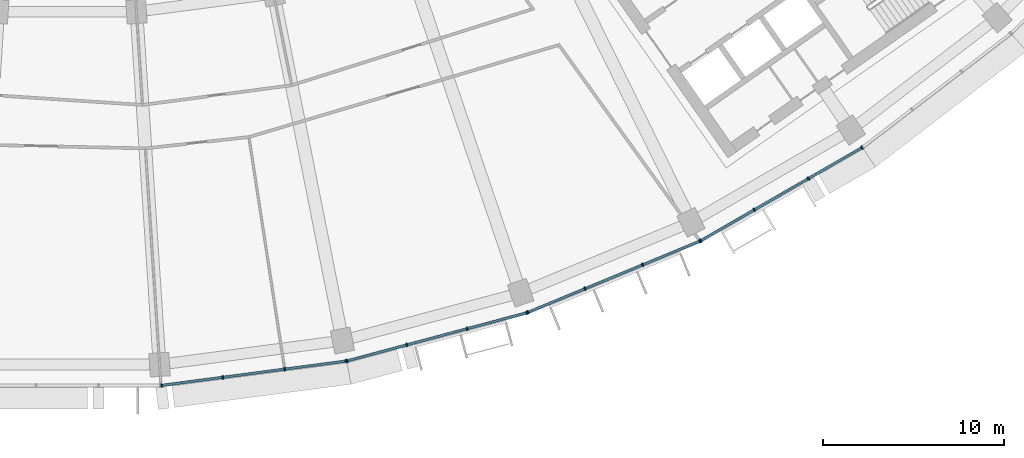
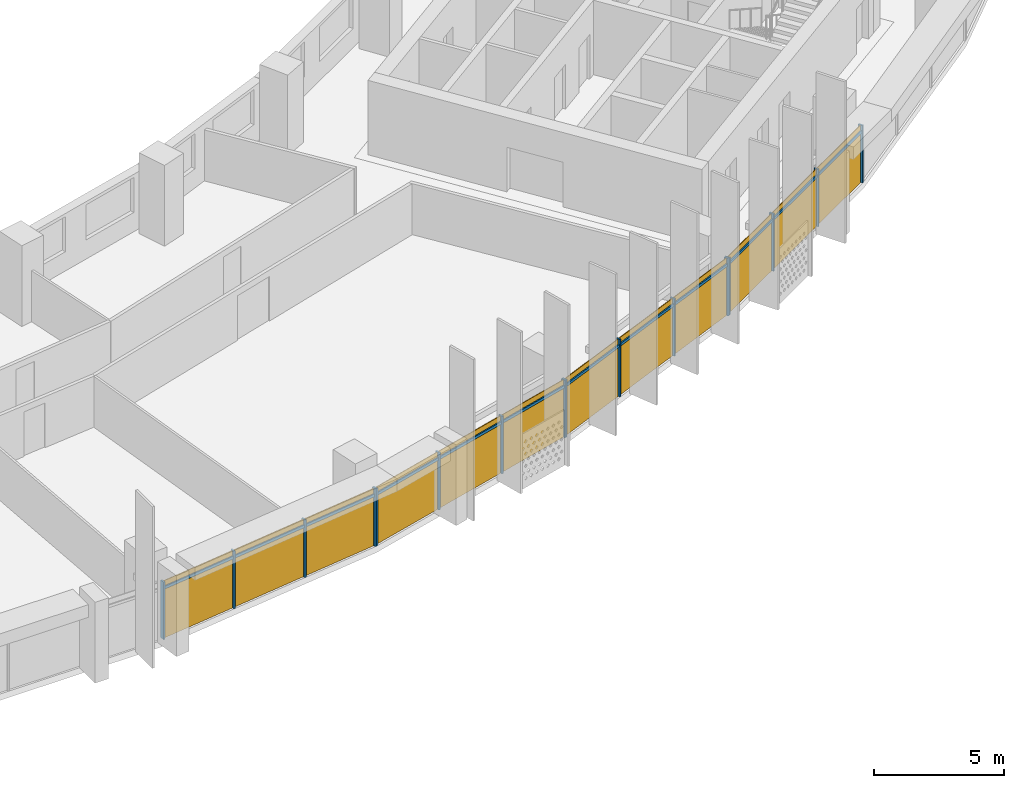
# One storey, part 21 of 27: 28 members, 4 curtain walls.
"""IFC4 building model written with IfcOpenShell, lengths in metres."""

import ifcopenshell
import ifcopenshell.guid

model = None  # the IFC model being written
_history = None  # IfcOwnerHistory: only IFC2X3 demands one
_inside = {}  # id of a spatial element -> (the spatial element, [elements in it])
_under = {}  # id of a project, library or spatial element -> (it, [spatial elements below it])
_declared = {}  # id of a project -> (the project, [libraries it declares])
_typed = {}  # id of a type object -> (the type object, [elements of that type])
_made_of = {}  # id of a material, layer set ... -> (it, [elements and type objects made of it])


def new_model(schema):
    """Start an empty IFC model of exactly this schema.

    Asked for "IFC4X3", IfcOpenShell would pick the latest addendum, in which some entities
    have other attributes; the version numbers below select the first issue.
    IFC2X3 requires an IfcOwnerHistory on every rooted entity: one is made here for all.
    """
    global model, _history
    if schema == "IFC4X3":
        model = ifcopenshell.file(schema_version=(4, 3, 0, 0))
    else:
        model = ifcopenshell.file(schema=schema)
    _inside.clear()
    _under.clear()
    _declared.clear()
    _typed.clear()
    _made_of.clear()
    _history = None
    if model.schema == "IFC2X3":
        org = make("IfcOrganization", Name="unknown")
        user = make(
            "IfcPersonAndOrganization",
            ThePerson=make("IfcPerson", FamilyName="unknown"),
            TheOrganization=org,
        )
        app = make(
            "IfcApplication",
            ApplicationDeveloper=org,
            Version="unknown",
            ApplicationFullName="unknown",
            ApplicationIdentifier="unknown",
        )
        _history = make(
            "IfcOwnerHistory",
            OwningUser=user,
            OwningApplication=app,
            ChangeAction="ADDED",
            CreationDate=0,
        )
    return model


def make(cls, **values):
    """One entity of the class cls with the attributes given. An attribute that is None is left unset."""
    return model.create_entity(
        cls, **{name: value for name, value in values.items() if value is not None}
    )


def rooted(cls, **values):
    """An entity with a GlobalId (a new one), such as an element, a storey or a relation."""
    return make(cls, GlobalId=ifcopenshell.guid.new(), OwnerHistory=_history, **values)


def si_unit(unit_type, name, prefix=None):
    """IfcSIUnit, for example si_unit("LENGTHUNIT", "METRE", prefix="MILLI")."""
    return make("IfcSIUnit", UnitType=unit_type, Prefix=prefix, Name=name)


def assignment(units):
    """IfcUnitAssignment: the units of a project."""
    return None if units is None else make("IfcUnitAssignment", Units=units)


def point(xyz):
    """IfcCartesianPoint."""
    return None if xyz is None else make("IfcCartesianPoint", Coordinates=xyz)


def direction(xyz):
    """IfcDirection."""
    return None if xyz is None else make("IfcDirection", DirectionRatios=xyz)


def frame(location, z_axis=None, x_axis=None):
    """IfcAxis2Placement3D, a coordinate frame: its origin and axes. An axis left out is left unset."""
    return make(
        "IfcAxis2Placement3D",
        Location=point(location),
        Axis=direction(z_axis),
        RefDirection=direction(x_axis),
    )


def frame_2d(location, x_axis=None):
    """IfcAxis2Placement2D, a coordinate frame in the plane: its origin and x axis."""
    return make(
        "IfcAxis2Placement2D", Location=point(location), RefDirection=direction(x_axis)
    )


def origin():
    """The frame at (0, 0, 0) with its axes left unset."""
    return frame((0.0, 0.0, 0.0))


def origin_2d():
    """The frame at (0, 0) in the plane with its x axis left unset."""
    return frame_2d((0.0, 0.0))


def place(relative_to, where):
    """IfcLocalPlacement: puts the frame where relative to a parent placement (None: the world)."""
    return make(
        "IfcLocalPlacement", PlacementRelTo=relative_to, RelativePlacement=where
    )


def context(
    kind, dimensions, precision=None, world=None, true_north=None, identifier=None
):
    """IfcGeometricRepresentationContext, for example the 3D "Model" context."""
    return make(
        "IfcGeometricRepresentationContext",
        ContextIdentifier=identifier,
        ContextType=kind,
        CoordinateSpaceDimension=dimensions,
        Precision=precision,
        WorldCoordinateSystem=world,
        TrueNorth=true_north,
    )


def subcontext(parent, identifier, kind, view, scale=None):
    """IfcGeometricRepresentationSubContext, for example "Body" below "Model"."""
    return make(
        "IfcGeometricRepresentationSubContext",
        ContextIdentifier=identifier,
        ContextType=kind,
        ParentContext=parent,
        TargetScale=scale,
        TargetView=view,
    )


def project(units=None, contexts=None):
    """IfcProject with its units and contexts."""
    return rooted(
        "IfcProject",
        Name="project",
        RepresentationContexts=contexts,
        UnitsInContext=assignment(units),
    )


def spatial(cls, under=None, at=None, **own):
    """A site, building, storey or space (cls), placed at a placement, below another one or the project."""
    s = rooted(cls, ObjectPlacement=at, **own)
    if under is not None:
        _under.setdefault(under.id(), (under, []))[1].append(s)
    return s


def profile(cls, at=None, kind="AREA", **sizes):
    """A parametric profile (cls). Its sizes go by their IFC names, for example OverallWidth=200.0."""
    return make(cls, ProfileType=kind, Position=at, **sizes)


def rectangle(**sizes):
    """IfcRectangleProfileDef."""
    return profile("IfcRectangleProfileDef", **sizes)


def extrude(swept, where, along, depth):
    """IfcExtrudedAreaSolid: the profile swept, set in the frame where, extruded along a direction by depth."""
    return make(
        "IfcExtrudedAreaSolid",
        SweptArea=swept,
        Position=where,
        ExtrudedDirection=direction(along),
        Depth=depth,
    )


def shape(context_of_items, identifier, shape_type, items):
    """IfcShapeRepresentation: the items that make up one representation, for example the "Body"."""
    return make(
        "IfcShapeRepresentation",
        ContextOfItems=context_of_items,
        RepresentationIdentifier=identifier,
        RepresentationType=shape_type,
        Items=items,
    )


def material(Name=None, Category=None):
    """IfcMaterial."""
    return make("IfcMaterial", Name=Name, Category=Category)


def material_profile(
    of_material, cross_section, Name=None, Category=None, Priority=None
):
    """IfcMaterialProfile: a cross section and its material."""
    return make(
        "IfcMaterialProfile",
        Name=Name,
        Material=of_material,
        Profile=cross_section,
        Priority=Priority,
        Category=Category,
    )


def profile_set(profiles, Name=None, composite=None):
    """IfcMaterialProfileSet."""
    return make(
        "IfcMaterialProfileSet",
        Name=Name,
        MaterialProfiles=profiles,
        CompositeProfile=composite,
    )


def made_of(thing, what):
    """Note that an element or type object is made of a material, layer set ...; save() writes the relation."""
    if what is not None:
        _made_of.setdefault(what.id(), (what, []))[1].append(thing)
    return thing


def type_object(cls, material=None, **own):
    """A type object (cls), such as IfcWallType, which elements share."""
    return made_of(rooted(cls, **own), material)


def element(
    cls,
    number,
    at=None,
    inside=None,
    cuts=None,
    type_object=None,
    material=None,
    context=None,
    identifier="Body",
    shape_type=None,
    held_by="IfcProductDefinitionShape",
    body=None,
    shapes=None,
    **own,
):
    """One element of the class cls, such as IfcWall. Its Tag is "e" and its number.

    at: its placement. inside: the storey or other place that contains it. cuts: it is an
    opening in that element (IfcRelVoidsElement). A single representation is given by context,
    identifier, shape_type and body (its items); several are given by shapes. held_by: the class
    of the entity that holds the representations. save() writes the other relations.
    """
    e = rooted(cls, Tag="e%d" % number, ObjectPlacement=at, **own)
    if body is not None:
        shapes = [shape(context, identifier, shape_type, body)]
    if shapes is not None:
        e.Representation = make(held_by, Representations=shapes)
    if inside is not None:
        _inside.setdefault(inside.id(), (inside, []))[1].append(e)
    if cuts is not None:
        rooted(
            "IfcRelVoidsElement", RelatingBuildingElement=cuts, RelatedOpeningElement=e
        )
    if type_object is not None:
        _typed.setdefault(type_object.id(), (type_object, []))[1].append(e)
    return made_of(e, material)


def aggregate(whole, parts):
    """IfcRelAggregates: a whole, such as a stair, and the parts it consists of."""
    return rooted("IfcRelAggregates", RelatingObject=whole, RelatedObjects=parts)


def save(model, path):
    """Write the relations noted so far, then the file.

    IfcRelAggregates (storeys below a building ...), IfcRelContainedInSpatialStructure (elements
    in a storey), IfcRelDefinesByType, IfcRelAssociatesMaterial and IfcRelDeclares: one each for
    every whole, place, type object, material and project.
    """
    for whole, parts in _under.values():
        aggregate(whole, parts)
    for where, things in _inside.values():
        rooted(
            "IfcRelContainedInSpatialStructure",
            RelatedElements=things,
            RelatingStructure=where,
        )
    for kind, things in _typed.values():
        rooted("IfcRelDefinesByType", RelatedObjects=things, RelatingType=kind)
    for what, things in _made_of.values():
        rooted("IfcRelAssociatesMaterial", RelatedObjects=things, RelatingMaterial=what)
    for by, libraries in _declared.values():
        rooted("IfcRelDeclares", RelatingContext=by, RelatedDefinitions=libraries)
    model.write(path)


model = new_model("IFC4")

# Units and contexts
model_context = context("Model", 3, precision=1e-05, world=origin(), true_north=direction((0.0, 1.0)))
body_context = subcontext(model_context, "Body", "Model", "MODEL_VIEW")
ifc_project = project(units=[si_unit("LENGTHUNIT", "METRE"), si_unit("AREAUNIT", "SQUARE_METRE"), si_unit("VOLUMEUNIT", "CUBIC_METRE"), si_unit("PLANEANGLEUNIT", "RADIAN"), si_unit("MASSUNIT", "GRAM", prefix="KILO")], contexts=[model_context])

# Member
ifc_material = material(Name="Aluminium 6063-T6 anodised", Category="aluminium")
ifc_material_profile_1 = material_profile(ifc_material, rectangle(XDim=0.199951171875, YDim=0.070068359375, at=origin_2d()))
ifc_profile_set_1 = profile_set([ifc_material_profile_1], Name="Aluminium 6063-T6 anodised")
member_type_1 = type_object("IfcMemberType", Name="Mullion 70 x 200 aluminium", PredefinedType="MULLION", material=ifc_profile_set_1)
site_placement = place(None, origin())
building_placement = place(site_placement, origin())
storey_placement = place(building_placement, frame((0.0, 0.0, 187.300048828125)))
member_1_placement = place(storey_placement, frame((5.1884765625, -78.72705078125, 0.0), z_axis=(0.0, 0.0, 1.0), x_axis=(-0.13052619222, 0.991444861374, 0.0)))
member_1 = element("IfcMember", 1, at=member_1_placement, type_object=member_type_1, Name="e-cw1-L44-out08/M00", PredefinedType="MULLION", context=body_context, shape_type="SweptSolid", body=[
    extrude(rectangle(XDim=0.199951171875, YDim=0.070068359375, at=origin_2d()), origin(), (0.0, 0.0, 1.0), 2.699951171875),
])

member_2_placement = place(storey_placement, frame((8.56884765625, -78.2822265625, 0.0), z_axis=(0.0, 0.0, 1.0), x_axis=(-0.13052619222, 0.991444861374, 0.0)))
member_2 = element("IfcMember", 2, at=member_2_placement, type_object=member_type_1, Name="e-cw1-L44-out08/M01", PredefinedType="MULLION", context=body_context, shape_type="SweptSolid", body=[
    extrude(rectangle(XDim=0.199951171875, YDim=0.070068359375, at=origin_2d()), origin(), (0.0, 0.0, 1.0), 2.699951171875),
])

member_3_placement = place(storey_placement, frame((11.98388671875, -77.83251953125, 0.0), z_axis=(0.0, 0.0, 1.0), x_axis=(-0.13052619222, 0.991444861374, 0.0)))
member_3 = element("IfcMember", 3, at=member_3_placement, type_object=member_type_1, Name="e-cw1-L44-out08/M02", PredefinedType="MULLION", context=body_context, shape_type="SweptSolid", body=[
    extrude(rectangle(XDim=0.199951171875, YDim=0.070068359375, at=origin_2d()), origin(), (0.0, 0.0, 1.0), 2.699951171875),
])

member_4_placement = place(storey_placement, frame((15.364501953125, -77.387451171875, 0.0), z_axis=(0.0, 0.0, 1.0), x_axis=(-0.13052619222, 0.991444861374, 0.0)))
member_4 = element("IfcMember", 4, at=member_4_placement, type_object=member_type_1, Name="e-cw1-L44-out08/M03", PredefinedType="MULLION", context=body_context, shape_type="SweptSolid", body=[
    extrude(rectangle(XDim=0.199951171875, YDim=0.070068359375, at=origin_2d()), origin(), (0.0, 0.0, 1.0), 2.699951171875),
])

member_5_placement = place(storey_placement, frame((15.420166015625, -77.37646484375, 0.0), z_axis=(0.0, 0.0, 1.0), x_axis=(-0.258819045103, 0.965925826289, 0.0)))
member_5 = element("IfcMember", 5, at=member_5_placement, type_object=member_type_1, Name="e-cw1-L44-out09/M00", PredefinedType="MULLION", context=body_context, shape_type="SweptSolid", body=[
    extrude(rectangle(XDim=0.199951171875, YDim=0.070068359375, at=origin_2d()), origin(), (0.0, 0.0, 1.0), 2.699951171875),
])

member_6_placement = place(storey_placement, frame((18.71337890625, -76.493896484375, 0.0), z_axis=(0.0, 0.0, 1.0), x_axis=(-0.258819045103, 0.965925826289, 0.0)))
member_6 = element("IfcMember", 6, at=member_6_placement, type_object=member_type_1, Name="e-cw1-L44-out09/M01", PredefinedType="MULLION", context=body_context, shape_type="SweptSolid", body=[
    extrude(rectangle(XDim=0.199951171875, YDim=0.070068359375, at=origin_2d()), origin(), (0.0, 0.0, 1.0), 2.699951171875),
])

member_7_placement = place(storey_placement, frame((22.04052734375, -75.602294921875, 0.0), z_axis=(0.0, 0.0, 1.0), x_axis=(-0.258819045103, 0.965925826289, 0.0)))
member_7 = element("IfcMember", 7, at=member_7_placement, type_object=member_type_1, Name="e-cw1-L44-out09/M02", PredefinedType="MULLION", context=body_context, shape_type="SweptSolid", body=[
    extrude(rectangle(XDim=0.199951171875, YDim=0.070068359375, at=origin_2d()), origin(), (0.0, 0.0, 1.0), 2.699951171875),
])

member_8_placement = place(storey_placement, frame((25.333984375, -74.719970703125, 0.0), z_axis=(0.0, 0.0, 1.0), x_axis=(-0.258819045103, 0.965925826289, 0.0)))
member_8 = element("IfcMember", 8, at=member_8_placement, type_object=member_type_1, Name="e-cw1-L44-out09/M03", PredefinedType="MULLION", context=body_context, shape_type="SweptSolid", body=[
    extrude(rectangle(XDim=0.199951171875, YDim=0.070068359375, at=origin_2d()), origin(), (0.0, 0.0, 1.0), 2.699951171875),
])

member_9_placement = place(storey_placement, frame((25.3876953125, -74.70166015625, 0.0), z_axis=(0.0, 0.0, 1.0), x_axis=(-0.382683432365, 0.923879532511, 0.0)))
member_9 = element("IfcMember", 9, at=member_9_placement, type_object=member_type_1, Name="e-cw1-L44-out10/M00", PredefinedType="MULLION", context=body_context, shape_type="SweptSolid", body=[
    extrude(rectangle(XDim=0.199951171875, YDim=0.070068359375, at=origin_2d()), origin(), (0.0, 0.0, 1.0), 2.699951171875),
])

member_10_placement = place(storey_placement, frame((28.537841796875, -73.39697265625, 0.0), z_axis=(0.0, 0.0, 1.0), x_axis=(-0.382683432365, 0.923879532511, 0.0)))
member_10 = element("IfcMember", 10, at=member_10_placement, type_object=member_type_1, Name="e-cw1-L44-out10/M01", PredefinedType="MULLION", context=body_context, shape_type="SweptSolid", body=[
    extrude(rectangle(XDim=0.199951171875, YDim=0.070068359375, at=origin_2d()), origin(), (0.0, 0.0, 1.0), 2.699951171875),
])

member_11_placement = place(storey_placement, frame((31.72021484375, -72.078857421875, 0.0), z_axis=(0.0, 0.0, 1.0), x_axis=(-0.382683432365, 0.923879532511, 0.0)))
member_11 = element("IfcMember", 11, at=member_11_placement, type_object=member_type_1, Name="e-cw1-L44-out10/M02", PredefinedType="MULLION", context=body_context, shape_type="SweptSolid", body=[
    extrude(rectangle(XDim=0.199951171875, YDim=0.070068359375, at=origin_2d()), origin(), (0.0, 0.0, 1.0), 2.699951171875),
])

member_12_placement = place(storey_placement, frame((34.8701171875, -70.77392578125, 0.0), z_axis=(0.0, 0.0, 1.0), x_axis=(-0.382683432365, 0.923879532511, 0.0)))
member_12 = element("IfcMember", 12, at=member_12_placement, type_object=member_type_1, Name="e-cw1-L44-out10/M03", PredefinedType="MULLION", context=body_context, shape_type="SweptSolid", body=[
    extrude(rectangle(XDim=0.199951171875, YDim=0.070068359375, at=origin_2d()), origin(), (0.0, 0.0, 1.0), 2.699951171875),
])

member_13_placement = place(storey_placement, frame((34.921142578125, -70.748779296875, 0.0), z_axis=(0.0, 0.0, 1.0), x_axis=(-0.5, 0.866025403784, 0.0)))
member_13 = element("IfcMember", 13, at=member_13_placement, type_object=member_type_1, Name="e-cw1-L44-out11/M00", PredefinedType="MULLION", context=body_context, shape_type="SweptSolid", body=[
    extrude(rectangle(XDim=0.199951171875, YDim=0.070068359375, at=origin_2d()), origin(), (0.0, 0.0, 1.0), 2.699951171875),
])

member_14_placement = place(storey_placement, frame((37.873779296875, -69.0439453125, 0.0), z_axis=(0.0, 0.0, 1.0), x_axis=(-0.5, 0.866025403784, 0.0)))
member_14 = element("IfcMember", 14, at=member_14_placement, type_object=member_type_1, Name="e-cw1-L44-out11/M01", PredefinedType="MULLION", context=body_context, shape_type="SweptSolid", body=[
    extrude(rectangle(XDim=0.199951171875, YDim=0.070068359375, at=origin_2d()), origin(), (0.0, 0.0, 1.0), 2.699951171875),
])

member_15_placement = place(storey_placement, frame((40.85693359375, -67.32177734375, 0.0), z_axis=(0.0, 0.0, 1.0), x_axis=(-0.5, 0.866025403784, 0.0)))
member_15 = element("IfcMember", 15, at=member_15_placement, type_object=member_type_1, Name="e-cw1-L44-out11/M02", PredefinedType="MULLION", context=body_context, shape_type="SweptSolid", body=[
    extrude(rectangle(XDim=0.199951171875, YDim=0.070068359375, at=origin_2d()), origin(), (0.0, 0.0, 1.0), 2.699951171875),
])

member_16_placement = place(storey_placement, frame((43.809814453125, -65.616943359375, 0.0), z_axis=(0.0, 0.0, 1.0), x_axis=(-0.5, 0.866025403784, 0.0)))
member_16 = element("IfcMember", 16, at=member_16_placement, type_object=member_type_1, Name="e-cw1-L44-out11/M03", PredefinedType="MULLION", context=body_context, shape_type="SweptSolid", body=[
    extrude(rectangle(XDim=0.199951171875, YDim=0.070068359375, at=origin_2d()), origin(), (0.0, 0.0, 1.0), 2.699951171875),
])

ifc_material_profile_2 = material_profile(ifc_material, rectangle(XDim=0.139892578125, YDim=0.1201171875, at=origin_2d()))
ifc_profile_set_2 = profile_set([ifc_material_profile_2], Name="Aluminium 6063-T6 anodised")
member_type_2 = type_object("IfcMemberType", Name="Transom 120 x 140 aluminium", PredefinedType="USERDEFINED", material=ifc_profile_set_2)
member_17_placement = place(storey_placement, frame((5.22314453125, -78.72265625, 2.39990234375), z_axis=(0.991439857731, 0.130564193033, 0.0), x_axis=(-0.130564193033, 0.991439857731, 0.0)))
member_17 = element("IfcMember", 17, at=member_17_placement, type_object=member_type_2, Name="e-cw1-L44-out08/T00", ObjectType="TRANSOM", PredefinedType="USERDEFINED", context=body_context, shape_type="SweptSolid", body=[
    extrude(rectangle(XDim=0.139892578125, YDim=0.1201171875, at=origin_2d()), origin(), (0.0, 0.0, 1.0), 3.339599609375),
])

member_18_placement = place(storey_placement, frame((8.603515625, -78.277587890625, 2.39990234375), z_axis=(0.991446413845, 0.130514399487, 0.0), x_axis=(-0.130514399487, 0.991446413845, 0.0)))
member_18 = element("IfcMember", 18, at=member_18_placement, type_object=member_type_2, Name="e-cw1-L44-out08/T01", ObjectType="TRANSOM", PredefinedType="USERDEFINED", context=body_context, shape_type="SweptSolid", body=[
    extrude(rectangle(XDim=0.139892578125, YDim=0.1201171875, at=origin_2d()), origin(), (0.0, 0.0, 1.0), 3.37451171875),
])

member_19_placement = place(storey_placement, frame((12.018798828125, -77.827880859375, 2.39990234375), z_axis=(0.991448073325, 0.130501792706, 0.0), x_axis=(-0.130501792706, 0.991448073325, 0.0)))
member_19 = element("IfcMember", 19, at=member_19_placement, type_object=member_type_2, Name="e-cw1-L44-out08/T02", ObjectType="TRANSOM", PredefinedType="USERDEFINED", context=body_context, shape_type="SweptSolid", body=[
    extrude(rectangle(XDim=0.139892578125, YDim=0.1201171875, at=origin_2d()), origin(), (0.0, 0.0, 1.0), 3.33935546875),
])

member_20_placement = place(storey_placement, frame((15.453857421875, -77.367431640625, 2.39990234375), z_axis=(0.96591509168, 0.258859103886, 0.0), x_axis=(-0.258859103886, 0.96591509168, 0.0)))
member_20 = element("IfcMember", 20, at=member_20_placement, type_object=member_type_2, Name="e-cw1-L44-out09/T00", ObjectType="TRANSOM", PredefinedType="USERDEFINED", context=body_context, shape_type="SweptSolid", body=[
    extrude(rectangle(XDim=0.139892578125, YDim=0.1201171875, at=origin_2d()), origin(), (0.0, 0.0, 1.0), 3.339599609375),
])

member_21_placement = place(storey_placement, frame((18.747314453125, -76.48486328125, 2.39990234375), z_axis=(0.965932873966, 0.258792741381, 0.0), x_axis=(-0.258792741381, 0.965932873966, 0.0)))
member_21 = element("IfcMember", 21, at=member_21_placement, type_object=member_type_2, Name="e-cw1-L44-out09/T01", ObjectType="TRANSOM", PredefinedType="USERDEFINED", context=body_context, shape_type="SweptSolid", body=[
    extrude(rectangle(XDim=0.139892578125, YDim=0.1201171875, at=origin_2d()), origin(), (0.0, 0.0, 1.0), 3.37451171875),
])

member_22_placement = place(storey_placement, frame((22.074462890625, -75.59326171875, 2.39990234375), z_axis=(0.965933368091, 0.258790897074, 0.0), x_axis=(-0.258790897074, 0.965933368091, 0.0)))
member_22 = element("IfcMember", 22, at=member_22_placement, type_object=member_type_2, Name="e-cw1-L44-out09/T02", ObjectType="TRANSOM", PredefinedType="USERDEFINED", context=body_context, shape_type="SweptSolid", body=[
    extrude(rectangle(XDim=0.139892578125, YDim=0.1201171875, at=origin_2d()), origin(), (0.0, 0.0, 1.0), 3.339599609375),
])

member_23_placement = place(storey_placement, frame((25.420166015625, -74.688232421875, 2.39990234375), z_axis=(0.923890305385, 0.382657423311, 0.0), x_axis=(-0.382657423311, 0.923890305385, 0.0)))
member_23 = element("IfcMember", 23, at=member_23_placement, type_object=member_type_2, Name="e-cw1-L44-out10/T00", ObjectType="TRANSOM", PredefinedType="USERDEFINED", context=body_context, shape_type="SweptSolid", body=[
    extrude(rectangle(XDim=0.139892578125, YDim=0.1201171875, at=origin_2d()), origin(), (0.0, 0.0, 1.0), 3.33935546875),
])

member_24_placement = place(storey_placement, frame((28.570068359375, -73.383544921875, 2.39990234375), z_axis=(0.923866926753, 0.382713863941, 0.0), x_axis=(-0.382713863941, 0.923866926753, 0.0)))
member_24 = element("IfcMember", 24, at=member_24_placement, type_object=member_type_2, Name="e-cw1-L44-out10/T01", ObjectType="TRANSOM", PredefinedType="USERDEFINED", context=body_context, shape_type="SweptSolid", body=[
    extrude(rectangle(XDim=0.139892578125, YDim=0.1201171875, at=origin_2d()), origin(), (0.0, 0.0, 1.0), 3.37451171875),
])

member_25_placement = place(storey_placement, frame((31.75244140625, -72.0654296875, 2.39990234375), z_axis=(0.923875164544, 0.382693977401, 0.0), x_axis=(-0.382693977401, 0.923875164544, 0.0)))
member_25 = element("IfcMember", 25, at=member_25_placement, type_object=member_type_2, Name="e-cw1-L44-out10/T02", ObjectType="TRANSOM", PredefinedType="USERDEFINED", context=body_context, shape_type="SweptSolid", body=[
    extrude(rectangle(XDim=0.139892578125, YDim=0.1201171875, at=origin_2d()), origin(), (0.0, 0.0, 1.0), 3.339599609375),
])

member_26_placement = place(storey_placement, frame((34.951416015625, -70.7314453125, 2.39990234375), z_axis=(0.866002968352, 0.500038857296, 0.0), x_axis=(-0.500038857296, 0.866002968352, 0.0)))
member_26 = element("IfcMember", 26, at=member_26_placement, type_object=member_type_2, Name="e-cw1-L44-out11/T00", ObjectType="TRANSOM", PredefinedType="USERDEFINED", context=body_context, shape_type="SweptSolid", body=[
    extrude(rectangle(XDim=0.139892578125, YDim=0.1201171875, at=origin_2d()), origin(), (0.0, 0.0, 1.0), 3.339599609375),
])

member_27_placement = place(storey_placement, frame((37.904296875, -69.026611328125, 2.39990234375), z_axis=(0.86602172966, 0.500006363716, 0.0), x_axis=(-0.500006363716, 0.86602172966, 0.0)))
member_27 = element("IfcMember", 27, at=member_27_placement, type_object=member_type_2, Name="e-cw1-L44-out11/T01", ObjectType="TRANSOM", PredefinedType="USERDEFINED", context=body_context, shape_type="SweptSolid", body=[
    extrude(rectangle(XDim=0.139892578125, YDim=0.1201171875, at=origin_2d()), origin(), (0.0, 0.0, 1.0), 3.37451171875),
])

member_28_placement = place(storey_placement, frame((40.88720703125, -67.30419921875, 2.39990234375), z_axis=(0.866052898888, 0.49995237406, 0.0), x_axis=(-0.49995237406, 0.866052898888, 0.0)))
member_28 = element("IfcMember", 28, at=member_28_placement, type_object=member_type_2, Name="e-cw1-L44-out11/T02", ObjectType="TRANSOM", PredefinedType="USERDEFINED", context=body_context, shape_type="SweptSolid", body=[
    extrude(rectangle(XDim=0.139892578125, YDim=0.1201171875, at=origin_2d()), origin(), (0.0, 0.0, 1.0), 3.339599609375),
])

# Site, building, storey
site = spatial("IfcSite", under=ifc_project, at=site_placement, CompositionType="ELEMENT")
building = spatial("IfcBuilding", under=site, at=building_placement, Name="Qamariyya Broadcast Tower", CompositionType="ELEMENT")
storey = spatial("IfcBuildingStorey", under=building, at=storey_placement, Name="L44", CompositionType="ELEMENT", Elevation=187.300048828125)

# Curtain wall
curtain_wall_type = type_object("IfcCurtainWallType", Name="Unitised curtain wall, anodised aluminium", PredefinedType="NOTDEFINED", material=ifc_material)
curtain_wall_1_placement = place(storey_placement, origin())
curtain_wall_1 = element("IfcCurtainWall", 29, at=curtain_wall_1_placement, inside=storey, type_object=curtain_wall_type, Name="e-cw1-L44-out08", PredefinedType="NOTDEFINED", context=body_context, shape_type="SweptSolid", body=[
    extrude(rectangle(XDim=3.339599609375, YDim=0.031982421875, at=origin_2d()), frame((6.878662109375, -78.504638671875, 0.0), x_axis=(0.991444240905, 0.130530905064, 0.0)), (0.0, 0.0, 1.0), 2.340087890625),
    extrude(rectangle(XDim=3.339599609375, YDim=0.031982421875, at=origin_2d()), frame((6.878662109375, -78.504638671875, 2.4599609375), x_axis=(0.991444240905, 0.130530905064, 0.0)), (0.0, 0.0, 1.0), 0.239990234375),
    extrude(rectangle(XDim=3.37451171875, YDim=0.031982421875, at=origin_2d()), frame((10.2763671875, -78.05712890625, 0.0), x_axis=(0.991444240905, 0.130530905064, 0.0)), (0.0, 0.0, 1.0), 2.340087890625),
    extrude(rectangle(XDim=3.37451171875, YDim=0.031982421875, at=origin_2d()), frame((10.2763671875, -78.05712890625, 2.4599609375), x_axis=(0.991444240905, 0.130530905064, 0.0)), (0.0, 0.0, 1.0), 0.239990234375),
    extrude(rectangle(XDim=3.339599609375, YDim=0.031982421875, at=origin_2d()), frame((13.67431640625, -77.60986328125, 0.0), x_axis=(0.991444240905, 0.130530905064, 0.0)), (0.0, 0.0, 1.0), 2.340087890625),
    extrude(rectangle(XDim=3.339599609375, YDim=0.031982421875, at=origin_2d()), frame((13.67431640625, -77.60986328125, 2.4599609375), x_axis=(0.991444240905, 0.130530905064, 0.0)), (0.0, 0.0, 1.0), 0.239990234375),
])

aggregate(curtain_wall_1, [member_1, member_2, member_3, member_4, member_17, member_18, member_19])

curtain_wall_2_placement = place(storey_placement, origin())
curtain_wall_2 = element("IfcCurtainWall", 30, at=curtain_wall_2_placement, inside=storey, type_object=curtain_wall_type, Name="e-cw1-L44-out09", PredefinedType="NOTDEFINED", context=body_context, shape_type="SweptSolid", body=[
    extrude(rectangle(XDim=3.339599609375, YDim=0.031982421875, at=origin_2d()), frame((17.066650390625, -76.935302734375, 0.0), x_axis=(0.965926433062, 0.258816780584, 0.0)), (0.0, 0.0, 1.0), 2.340087890625),
    extrude(rectangle(XDim=3.339599609375, YDim=0.031982421875, at=origin_2d()), frame((17.066650390625, -76.935302734375, 2.4599609375), x_axis=(0.965926433062, 0.258816780584, 0.0)), (0.0, 0.0, 1.0), 0.239990234375),
    extrude(rectangle(XDim=3.37451171875, YDim=0.031982421875, at=origin_2d()), frame((20.376953125, -76.04833984375, 0.0), x_axis=(0.965926433062, 0.258816780584, 0.0)), (0.0, 0.0, 1.0), 2.340087890625),
    extrude(rectangle(XDim=3.37451171875, YDim=0.031982421875, at=origin_2d()), frame((20.376953125, -76.04833984375, 2.4599609375), x_axis=(0.965926433062, 0.258816780584, 0.0)), (0.0, 0.0, 1.0), 0.239990234375),
    extrude(rectangle(XDim=3.339599609375, YDim=0.031982421875, at=origin_2d()), frame((23.6875, -75.1611328125, 0.0), x_axis=(0.965926433062, 0.258816780584, 0.0)), (0.0, 0.0, 1.0), 2.340087890625),
    extrude(rectangle(XDim=3.339599609375, YDim=0.031982421875, at=origin_2d()), frame((23.6875, -75.1611328125, 2.4599609375), x_axis=(0.965926433062, 0.258816780584, 0.0)), (0.0, 0.0, 1.0), 0.239990234375),
])

aggregate(curtain_wall_2, [member_5, member_6, member_7, member_8, member_20, member_21, member_22])

curtain_wall_3_placement = place(storey_placement, origin())
curtain_wall_3 = element("IfcCurtainWall", 31, at=curtain_wall_3_placement, inside=storey, type_object=curtain_wall_type, Name="e-cw1-L44-out10", PredefinedType="NOTDEFINED", context=body_context, shape_type="SweptSolid", body=[
    extrude(rectangle(XDim=3.339599609375, YDim=0.031982421875, at=origin_2d()), frame((26.962890625, -74.04931640625, 0.0), x_axis=(0.923878040314, 0.382687034829, 0.0)), (0.0, 0.0, 1.0), 2.340087890625),
    extrude(rectangle(XDim=3.339599609375, YDim=0.031982421875, at=origin_2d()), frame((26.962890625, -74.04931640625, 2.4599609375), x_axis=(0.923878040314, 0.382687034829, 0.0)), (0.0, 0.0, 1.0), 0.239990234375),
    extrude(rectangle(XDim=3.37451171875, YDim=0.031982421875, at=origin_2d()), frame((30.12890625, -72.73779296875, 0.0), x_axis=(0.923878040314, 0.382687034829, 0.0)), (0.0, 0.0, 1.0), 2.340087890625),
    extrude(rectangle(XDim=3.37451171875, YDim=0.031982421875, at=origin_2d()), frame((30.12890625, -72.73779296875, 2.4599609375), x_axis=(0.923878040314, 0.382687034829, 0.0)), (0.0, 0.0, 1.0), 0.239990234375),
    extrude(rectangle(XDim=3.339599609375, YDim=0.031982421875, at=origin_2d()), frame((33.295166015625, -71.42626953125, 0.0), x_axis=(0.923878040314, 0.382687034829, 0.0)), (0.0, 0.0, 1.0), 2.340087890625),
    extrude(rectangle(XDim=3.339599609375, YDim=0.031982421875, at=origin_2d()), frame((33.295166015625, -71.42626953125, 2.4599609375), x_axis=(0.923878040314, 0.382687034829, 0.0)), (0.0, 0.0, 1.0), 0.239990234375),
])

aggregate(curtain_wall_3, [member_9, member_10, member_11, member_12, member_23, member_24, member_25])

curtain_wall_4_placement = place(storey_placement, origin())
curtain_wall_4 = element("IfcCurtainWall", 32, at=curtain_wall_4_placement, inside=storey, type_object=curtain_wall_type, Name="e-cw1-L44-out11", PredefinedType="NOTDEFINED", context=body_context, shape_type="SweptSolid", body=[
    extrude(rectangle(XDim=3.339599609375, YDim=0.031982421875, at=origin_2d()), frame((36.3974609375, -69.896484375, 0.0), x_axis=(0.866028999376, 0.499993772201, 0.0)), (0.0, 0.0, 1.0), 2.340087890625),
    extrude(rectangle(XDim=3.339599609375, YDim=0.031982421875, at=origin_2d()), frame((36.3974609375, -69.896484375, 2.4599609375), x_axis=(0.866028999376, 0.499993772201, 0.0)), (0.0, 0.0, 1.0), 0.239990234375),
    extrude(rectangle(XDim=3.37451171875, YDim=0.031982421875, at=origin_2d()), frame((39.365478515625, -68.18310546875, 0.0), x_axis=(0.866028999376, 0.499993772201, 0.0)), (0.0, 0.0, 1.0), 2.340087890625),
    extrude(rectangle(XDim=3.37451171875, YDim=0.031982421875, at=origin_2d()), frame((39.365478515625, -68.18310546875, 2.4599609375), x_axis=(0.866028999376, 0.499993772201, 0.0)), (0.0, 0.0, 1.0), 0.239990234375),
    extrude(rectangle(XDim=3.339599609375, YDim=0.031982421875, at=origin_2d()), frame((42.33349609375, -66.469482421875, 0.0), x_axis=(0.866028999376, 0.499993772201, 0.0)), (0.0, 0.0, 1.0), 2.340087890625),
    extrude(rectangle(XDim=3.339599609375, YDim=0.031982421875, at=origin_2d()), frame((42.33349609375, -66.469482421875, 2.4599609375), x_axis=(0.866028999376, 0.499993772201, 0.0)), (0.0, 0.0, 1.0), 0.239990234375),
])

aggregate(curtain_wall_4, [member_13, member_14, member_15, member_16, member_26, member_27, member_28])

save(model, "model.ifc")
